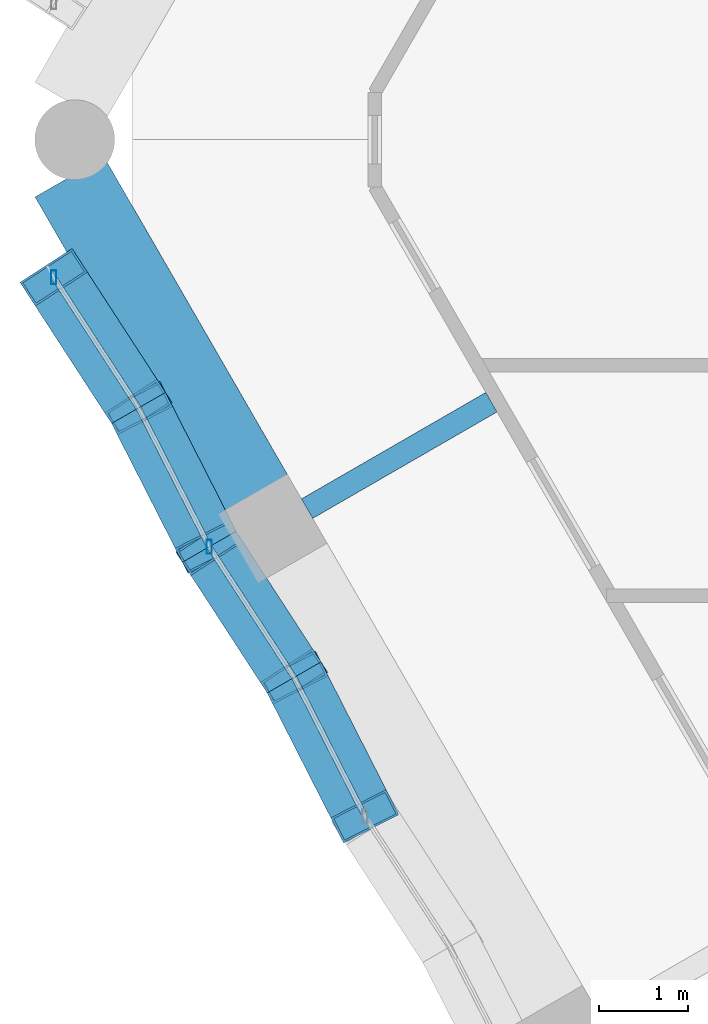
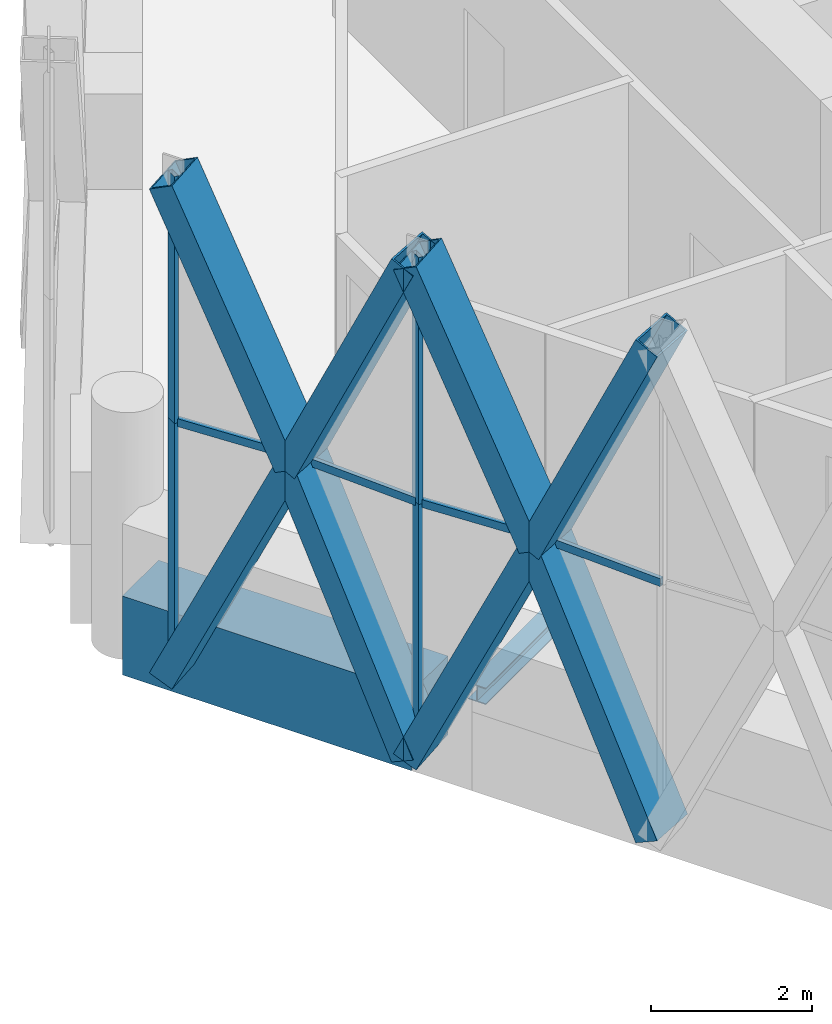
# One storey, part 4 of 27: 16 members, 2 beams, 2 elements without a shape of their own.
"""IFC4 building model written with IfcOpenShell, lengths in metres."""

import ifcopenshell
import ifcopenshell.guid

model = None  # the IFC model being written
_history = None  # IfcOwnerHistory: only IFC2X3 demands one
_inside = {}  # id of a spatial element -> (the spatial element, [elements in it])
_under = {}  # id of a project, library or spatial element -> (it, [spatial elements below it])
_declared = {}  # id of a project -> (the project, [libraries it declares])
_typed = {}  # id of a type object -> (the type object, [elements of that type])
_made_of = {}  # id of a material, layer set ... -> (it, [elements and type objects made of it])


def new_model(schema):
    """Start an empty IFC model of exactly this schema.

    Asked for "IFC4X3", IfcOpenShell would pick the latest addendum, in which some entities
    have other attributes; the version numbers below select the first issue.
    IFC2X3 requires an IfcOwnerHistory on every rooted entity: one is made here for all.
    """
    global model, _history
    if schema == "IFC4X3":
        model = ifcopenshell.file(schema_version=(4, 3, 0, 0))
    else:
        model = ifcopenshell.file(schema=schema)
    _inside.clear()
    _under.clear()
    _declared.clear()
    _typed.clear()
    _made_of.clear()
    _history = None
    if model.schema == "IFC2X3":
        org = make("IfcOrganization", Name="unknown")
        user = make(
            "IfcPersonAndOrganization",
            ThePerson=make("IfcPerson", FamilyName="unknown"),
            TheOrganization=org,
        )
        app = make(
            "IfcApplication",
            ApplicationDeveloper=org,
            Version="unknown",
            ApplicationFullName="unknown",
            ApplicationIdentifier="unknown",
        )
        _history = make(
            "IfcOwnerHistory",
            OwningUser=user,
            OwningApplication=app,
            ChangeAction="ADDED",
            CreationDate=0,
        )
    return model


def make(cls, **values):
    """One entity of the class cls with the attributes given. An attribute that is None is left unset."""
    return model.create_entity(
        cls, **{name: value for name, value in values.items() if value is not None}
    )


def rooted(cls, **values):
    """An entity with a GlobalId (a new one), such as an element, a storey or a relation."""
    return make(cls, GlobalId=ifcopenshell.guid.new(), OwnerHistory=_history, **values)


def si_unit(unit_type, name, prefix=None):
    """IfcSIUnit, for example si_unit("LENGTHUNIT", "METRE", prefix="MILLI")."""
    return make("IfcSIUnit", UnitType=unit_type, Prefix=prefix, Name=name)


def assignment(units):
    """IfcUnitAssignment: the units of a project."""
    return None if units is None else make("IfcUnitAssignment", Units=units)


def point(xyz):
    """IfcCartesianPoint."""
    return None if xyz is None else make("IfcCartesianPoint", Coordinates=xyz)


def direction(xyz):
    """IfcDirection."""
    return None if xyz is None else make("IfcDirection", DirectionRatios=xyz)


def frame(location, z_axis=None, x_axis=None):
    """IfcAxis2Placement3D, a coordinate frame: its origin and axes. An axis left out is left unset."""
    return make(
        "IfcAxis2Placement3D",
        Location=point(location),
        Axis=direction(z_axis),
        RefDirection=direction(x_axis),
    )


def frame_2d(location, x_axis=None):
    """IfcAxis2Placement2D, a coordinate frame in the plane: its origin and x axis."""
    return make(
        "IfcAxis2Placement2D", Location=point(location), RefDirection=direction(x_axis)
    )


def origin():
    """The frame at (0, 0, 0) with its axes left unset."""
    return frame((0.0, 0.0, 0.0))


def origin_2d():
    """The frame at (0, 0) in the plane with its x axis left unset."""
    return frame_2d((0.0, 0.0))


def place(relative_to, where):
    """IfcLocalPlacement: puts the frame where relative to a parent placement (None: the world)."""
    return make(
        "IfcLocalPlacement", PlacementRelTo=relative_to, RelativePlacement=where
    )


def context(
    kind, dimensions, precision=None, world=None, true_north=None, identifier=None
):
    """IfcGeometricRepresentationContext, for example the 3D "Model" context."""
    return make(
        "IfcGeometricRepresentationContext",
        ContextIdentifier=identifier,
        ContextType=kind,
        CoordinateSpaceDimension=dimensions,
        Precision=precision,
        WorldCoordinateSystem=world,
        TrueNorth=true_north,
    )


def subcontext(parent, identifier, kind, view, scale=None):
    """IfcGeometricRepresentationSubContext, for example "Body" below "Model"."""
    return make(
        "IfcGeometricRepresentationSubContext",
        ContextIdentifier=identifier,
        ContextType=kind,
        ParentContext=parent,
        TargetScale=scale,
        TargetView=view,
    )


def project(units=None, contexts=None):
    """IfcProject with its units and contexts."""
    return rooted(
        "IfcProject",
        Name="project",
        RepresentationContexts=contexts,
        UnitsInContext=assignment(units),
    )


def spatial(cls, under=None, at=None, **own):
    """A site, building, storey or space (cls), placed at a placement, below another one or the project."""
    s = rooted(cls, ObjectPlacement=at, **own)
    if under is not None:
        _under.setdefault(under.id(), (under, []))[1].append(s)
    return s


def profile(cls, at=None, kind="AREA", **sizes):
    """A parametric profile (cls). Its sizes go by their IFC names, for example OverallWidth=200.0."""
    return make(cls, ProfileType=kind, Position=at, **sizes)


def rectangle(**sizes):
    """IfcRectangleProfileDef."""
    return profile("IfcRectangleProfileDef", **sizes)


def hollow_rectangle(**sizes):
    """IfcRectangleHollowProfileDef."""
    return profile("IfcRectangleHollowProfileDef", **sizes)


def i_section(**sizes):
    """IfcIShapeProfileDef."""
    return profile("IfcIShapeProfileDef", **sizes)


def extrude(swept, where, along, depth):
    """IfcExtrudedAreaSolid: the profile swept, set in the frame where, extruded along a direction by depth."""
    return make(
        "IfcExtrudedAreaSolid",
        SweptArea=swept,
        Position=where,
        ExtrudedDirection=direction(along),
        Depth=depth,
    )


def shape(context_of_items, identifier, shape_type, items):
    """IfcShapeRepresentation: the items that make up one representation, for example the "Body"."""
    return make(
        "IfcShapeRepresentation",
        ContextOfItems=context_of_items,
        RepresentationIdentifier=identifier,
        RepresentationType=shape_type,
        Items=items,
    )


def material(Name=None, Category=None):
    """IfcMaterial."""
    return make("IfcMaterial", Name=Name, Category=Category)


def material_profile(
    of_material, cross_section, Name=None, Category=None, Priority=None
):
    """IfcMaterialProfile: a cross section and its material."""
    return make(
        "IfcMaterialProfile",
        Name=Name,
        Material=of_material,
        Profile=cross_section,
        Priority=Priority,
        Category=Category,
    )


def profile_set(profiles, Name=None, composite=None):
    """IfcMaterialProfileSet."""
    return make(
        "IfcMaterialProfileSet",
        Name=Name,
        MaterialProfiles=profiles,
        CompositeProfile=composite,
    )


def made_of(thing, what):
    """Note that an element or type object is made of a material, layer set ...; save() writes the relation."""
    if what is not None:
        _made_of.setdefault(what.id(), (what, []))[1].append(thing)
    return thing


def type_object(cls, material=None, **own):
    """A type object (cls), such as IfcWallType, which elements share."""
    return made_of(rooted(cls, **own), material)


def element(
    cls,
    number,
    at=None,
    inside=None,
    cuts=None,
    type_object=None,
    material=None,
    context=None,
    identifier="Body",
    shape_type=None,
    held_by="IfcProductDefinitionShape",
    body=None,
    shapes=None,
    **own,
):
    """One element of the class cls, such as IfcWall. Its Tag is "e" and its number.

    at: its placement. inside: the storey or other place that contains it. cuts: it is an
    opening in that element (IfcRelVoidsElement). A single representation is given by context,
    identifier, shape_type and body (its items); several are given by shapes. held_by: the class
    of the entity that holds the representations. save() writes the other relations.
    """
    e = rooted(cls, Tag="e%d" % number, ObjectPlacement=at, **own)
    if body is not None:
        shapes = [shape(context, identifier, shape_type, body)]
    if shapes is not None:
        e.Representation = make(held_by, Representations=shapes)
    if inside is not None:
        _inside.setdefault(inside.id(), (inside, []))[1].append(e)
    if cuts is not None:
        rooted(
            "IfcRelVoidsElement", RelatingBuildingElement=cuts, RelatedOpeningElement=e
        )
    if type_object is not None:
        _typed.setdefault(type_object.id(), (type_object, []))[1].append(e)
    return made_of(e, material)


def aggregate(whole, parts):
    """IfcRelAggregates: a whole, such as a stair, and the parts it consists of."""
    return rooted("IfcRelAggregates", RelatingObject=whole, RelatedObjects=parts)


def save(model, path):
    """Write the relations noted so far, then the file.

    IfcRelAggregates (storeys below a building ...), IfcRelContainedInSpatialStructure (elements
    in a storey), IfcRelDefinesByType, IfcRelAssociatesMaterial and IfcRelDeclares: one each for
    every whole, place, type object, material and project.
    """
    for whole, parts in _under.values():
        aggregate(whole, parts)
    for where, things in _inside.values():
        rooted(
            "IfcRelContainedInSpatialStructure",
            RelatedElements=things,
            RelatingStructure=where,
        )
    for kind, things in _typed.values():
        rooted("IfcRelDefinesByType", RelatedObjects=things, RelatingType=kind)
    for what, things in _made_of.values():
        rooted("IfcRelAssociatesMaterial", RelatedObjects=things, RelatingMaterial=what)
    for by, libraries in _declared.values():
        rooted("IfcRelDeclares", RelatingContext=by, RelatedDefinitions=libraries)
    model.write(path)


model = new_model("IFC4")

# Units and contexts
model_context = context("Model", 3, precision=1e-05, world=origin(), true_north=direction((0.0, 1.0)))
body_context = subcontext(model_context, "Body", "Model", "MODEL_VIEW")
ifc_project = project(units=[si_unit("LENGTHUNIT", "METRE"), si_unit("AREAUNIT", "SQUARE_METRE"), si_unit("VOLUMEUNIT", "CUBIC_METRE"), si_unit("PLANEANGLEUNIT", "RADIAN"), si_unit("MASSUNIT", "GRAM", prefix="KILO")], contexts=[model_context])

# Site, building, storey
site_placement = place(None, origin())
site = spatial("IfcSite", under=ifc_project, at=site_placement, CompositionType="ELEMENT")
building_placement = place(site_placement, origin())
building = spatial("IfcBuilding", under=site, at=building_placement, Name="Ostrander Bayou Hotel Tower", CompositionType="ELEMENT")
storey_placement = place(building_placement, frame((0.0, 0.0, 267.5)))
storey = spatial("IfcBuildingStorey", under=building, at=storey_placement, Name="L66", CompositionType="ELEMENT", Elevation=267.5)

# Curtain wall, members
ifc_material_1 = material(Name="Aluminium and clear glass", Category="aluminium")
curtain_wall_type = type_object("IfcCurtainWallType", Name="CW-LAT lattice glazing", PredefinedType="NOTDEFINED", material=ifc_material_1)
curtain_wall_1_placement = place(storey_placement, origin())
curtain_wall_1 = element("IfcCurtainWall", 1, at=curtain_wall_1_placement, inside=storey, type_object=curtain_wall_type, Name="CW-LAT L66 SW 1", PredefinedType="NOTDEFINED")
ifc_material_2 = material(Name="Aluminium", Category="aluminium")
ifc_material_profile_1 = material_profile(ifc_material_2, hollow_rectangle(XDim=0.06005859375, YDim=0.159912109375, WallThickness=0.00390625, at=origin_2d()))
ifc_profile_set_1 = profile_set([ifc_material_profile_1], Name="Aluminium")
member_type_1 = type_object("IfcMemberType", Name="CW-LA mullion 60 x 160 mm", PredefinedType="MULLION", material=ifc_profile_set_1)
member_1_placement = place(storey_placement, frame((-18.724609375, -2.7080078125, -0.60009765625), z_axis=(0.0, 0.0, 1.0), x_axis=(1.0, 0.0, 0.0)))
member_1 = element("IfcMember", 2, at=member_1_placement, type_object=member_type_1, Name="CW-LAT mullion 1", PredefinedType="MULLION", context=body_context, shape_type="SweptSolid", body=[
    extrude(hollow_rectangle(XDim=0.06005859375, YDim=0.159912109375, WallThickness=0.00390625, at=origin_2d()), origin(), (0.0, 0.0, 1.0), 3.75),
])
member_2_placement = place(storey_placement, frame((-18.724609375, -2.7080078125, 3.14990234375), z_axis=(0.0, 0.0, 1.0), x_axis=(1.0, 0.0, 0.0)))
member_2 = element("IfcMember", 3, at=member_2_placement, type_object=member_type_1, Name="CW-LAT mullion 2", PredefinedType="MULLION", context=body_context, shape_type="SweptSolid", body=[
    extrude(hollow_rectangle(XDim=0.06005859375, YDim=0.159912109375, WallThickness=0.00390625, at=origin_2d()), origin(), (0.0, 0.0, 1.0), 3.75),
])
member_3_placement = place(storey_placement, frame((-16.970458984375, -5.74658203125, -0.60009765625), z_axis=(0.0, 0.0, 1.0), x_axis=(1.0, 0.0, 0.0)))
member_3 = element("IfcMember", 4, at=member_3_placement, type_object=member_type_1, Name="CW-LAT mullion 4", PredefinedType="MULLION", context=body_context, shape_type="SweptSolid", body=[
    extrude(hollow_rectangle(XDim=0.06005859375, YDim=0.159912109375, WallThickness=0.00390625, at=origin_2d()), origin(), (0.0, 0.0, 1.0), 3.75),
])
member_4_placement = place(storey_placement, frame((-16.970458984375, -5.74658203125, 3.14990234375), z_axis=(0.0, 0.0, 1.0), x_axis=(1.0, 0.0, 0.0)))
member_4 = element("IfcMember", 5, at=member_4_placement, type_object=member_type_1, Name="CW-LAT mullion 5", PredefinedType="MULLION", context=body_context, shape_type="SweptSolid", body=[
    extrude(hollow_rectangle(XDim=0.06005859375, YDim=0.159912109375, WallThickness=0.00390625, at=origin_2d()), origin(), (0.0, 0.0, 1.0), 3.75),
])
aggregate(curtain_wall_1, [member_1, member_2, member_3, member_4])

curtain_wall_2_placement = place(storey_placement, origin())
curtain_wall_2 = element("IfcCurtainWall", 6, at=curtain_wall_2_placement, inside=storey, type_object=curtain_wall_type, Name="CW-LAT L66 SW 2", PredefinedType="NOTDEFINED")
ifc_material_3 = material(Name="Aluminium", Category="aluminium")
ifc_material_profile_2 = material_profile(ifc_material_3, hollow_rectangle(XDim=0.06005859375, YDim=0.1201171875, WallThickness=0.00390625, at=origin_2d()))
ifc_profile_set_2 = profile_set([ifc_material_profile_2], Name="Aluminium")
member_type_2 = type_object("IfcMemberType", Name="CW-LA transom 60 x 120 mm", PredefinedType="USERDEFINED", material=ifc_profile_set_2)
member_5_placement = place(storey_placement, frame((-18.724609375, -2.7080078125, 3.14990234375), z_axis=(0.544621946318, -0.838681665228, 0.0), x_axis=(0.838681665228, 0.544621946318, 0.0)))
member_5 = element("IfcMember", 7, at=member_5_placement, type_object=member_type_2, Name="CW-LAT transom 3", ObjectType="TRANSOM", PredefinedType="USERDEFINED", context=body_context, shape_type="SweptSolid", body=[
    extrude(hollow_rectangle(XDim=0.06005859375, YDim=0.1201171875, WallThickness=0.00390625, at=origin_2d()), origin(), (0.0, 0.0, 1.0), 1.7568359375),
])
member_6_placement = place(storey_placement, frame((-16.970458984375, -5.74658203125, 3.14990234375), z_axis=(-0.453927863456, 0.891038436196, 0.0), x_axis=(-0.891038436196, -0.453927863456, 0.0)))
member_6 = element("IfcMember", 8, at=member_6_placement, type_object=member_type_2, Name="CW-LAT transom 6", ObjectType="TRANSOM", PredefinedType="USERDEFINED", context=body_context, shape_type="SweptSolid", body=[
    extrude(hollow_rectangle(XDim=0.06005859375, YDim=0.1201171875, WallThickness=0.00390625, at=origin_2d()), origin(), (0.0, 0.0, 1.0), 1.756591796875),
])
member_7_placement = place(storey_placement, frame((-16.970458984375, -5.74658203125, 3.14990234375), z_axis=(0.544685428538, -0.838640437815, 0.0), x_axis=(0.838640437815, 0.544685428538, 0.0)))
member_7 = element("IfcMember", 9, at=member_7_placement, type_object=member_type_2, Name="CW-LAT transom 7", ObjectType="TRANSOM", PredefinedType="USERDEFINED", context=body_context, shape_type="SweptSolid", body=[
    extrude(hollow_rectangle(XDim=0.06005859375, YDim=0.1201171875, WallThickness=0.00390625, at=origin_2d()), origin(), (0.0, 0.0, 1.0), 1.756591796875),
])
member_8_placement = place(storey_placement, frame((-15.216064453125, -8.784912109375, 3.14990234375), z_axis=(-0.454038200777, 0.890982217687, 0.0), x_axis=(-0.890982217687, -0.454038200777, 0.0)))
member_8 = element("IfcMember", 10, at=member_8_placement, type_object=member_type_2, Name="CW-LAT transom 10", ObjectType="TRANSOM", PredefinedType="USERDEFINED", context=body_context, shape_type="SweptSolid", body=[
    extrude(hollow_rectangle(XDim=0.06005859375, YDim=0.1201171875, WallThickness=0.00390625, at=origin_2d()), origin(), (0.0, 0.0, 1.0), 1.756591796875),
])
aggregate(curtain_wall_2, [member_5, member_6, member_7, member_8])

# Beam
ifc_material_4 = material(Name="Steel ASTM A992", Category="steel")
ifc_material_profile_3 = material_profile(ifc_material_4, i_section(OverallWidth=0.25390625, OverallDepth=0.25341796875, WebThickness=0.008544921875, FlangeThickness=0.01416015625, at=origin_2d()))
ifc_profile_set_3 = profile_set([ifc_material_profile_3], Name="Steel ASTM A992")
beam_type_1 = type_object("IfcBeamType", Name="LB2 loggia bracket W10x49", PredefinedType="BEAM", material=ifc_profile_set_3)
beam_1_placement = place(storey_placement, frame((-15.867431640625, -5.316650390625, -0.4267578125), z_axis=(0.866024647952, 0.500001309137, 0.0), x_axis=(-0.500001309137, 0.866024647952, 0.0)))
element("IfcBeam", 11, at=beam_1_placement, inside=storey, type_object=beam_type_1, Name="LB2 L66 SW1", PredefinedType="BEAM", context=body_context, shape_type="SweptSolid", body=[
    extrude(i_section(OverallWidth=0.25390625, OverallDepth=0.25341796875, WebThickness=0.008544921875, FlangeThickness=0.01416015625, at=origin_2d()), origin(), (0.0, 0.0, 1.0), 2.39990234375),
])

# Members
ifc_material_5 = material(Name="Steel ASTM A572 Gr 50", Category="steel")
ifc_material_profile_4 = material_profile(ifc_material_5, hollow_rectangle(XDim=0.699951171875, YDim=0.35009765625, WallThickness=0.02490234375, at=origin_2d()))
ifc_profile_set_4 = profile_set([ifc_material_profile_4], Name="Steel ASTM A572 Gr 50")
member_type_3 = type_object("IfcMemberType", Name="LT1 lattice member box 700 x 350 x 25 mm", PredefinedType="BRACE", material=ifc_profile_set_4)
for number, where, z_axis, x_axis, name in (
    (12, (-17.767822265625, -4.181396484375, 3.14990234375), (-0.231045890521, 0.35579534302, -0.905553681655), (-0.838681665228, -0.544621946318, 0.0), "LT1 L66 SW 1"),
    (13, (-17.767822265625, -4.181396484375, 3.14990234375), (-0.231045890521, 0.35579534302, 0.905553681655), (-0.838681665228, -0.544621946318, 0.0), "LT1 L66 SW 2"),
    (14, (-17.767822265625, -4.181396484375, 3.14990234375), (0.192552120059, -0.37797049654, -0.905572738551), (0.891038436196, 0.453927863456, 0.0), "LT1 L66 SW 3"),
    (15, (-17.767822265625, -4.181396484375, 3.14990234375), (0.192552120059, -0.37797049654, 0.905572738551), (0.891038436196, 0.453927863456, 0.0), "LT1 L66 SW 4"),
    (16, (-16.013671875, -7.2197265625, 3.14990234375), (-0.231050736697, 0.355743849255, -0.905572675598), (-0.838640437815, -0.544685428538, 0.0), "LT1 L66 SW 5"),
    (17, (-16.013671875, -7.2197265625, 3.14990234375), (-0.231050736697, 0.355743849255, 0.905572675598), (-0.838640437815, -0.544685428538, 0.0), "LT1 L66 SW 6"),
    (18, (-16.013671875, -7.2197265625, 3.14990234375), (0.192608889759, -0.377966205155, -0.9055624569), (0.890982217687, 0.454038200777, 0.0), "LT1 L66 SW 7"),
    (19, (-16.013671875, -7.2197265625, 3.14990234375), (0.192608889759, -0.377966205155, 0.9055624569), (0.890982217687, 0.454038200777, 0.0), "LT1 L66 SW 8"),
):
    element("IfcMember", number, at=place(storey_placement, frame(where, z_axis=z_axis, x_axis=x_axis)), inside=storey, type_object=member_type_3, Name=name, PredefinedType="BRACE", context=body_context, shape_type="SweptSolid", body=[
        extrude(hollow_rectangle(XDim=0.699951171875, YDim=0.35009765625, WallThickness=0.02490234375, at=origin_2d()), origin(), (0.0, 0.0, 1.0), 4.14111328125),
    ])

# Beam
ifc_material_6 = material(Name="Concrete f'c 60 MPa", Category="concrete")
ifc_material_profile_5 = material_profile(ifc_material_6, rectangle(XDim=0.89990234375, YDim=1.199951171875, at=origin_2d()))
ifc_profile_set_5 = profile_set([ifc_material_profile_5], Name="Concrete f'c 60 MPa")
beam_type_2 = type_object("IfcBeamType", Name="SP4 spandrel beam 900 x 1200 mm f'c 60 MPa", PredefinedType="SPANDREL", material=ifc_profile_set_5)
beam_2_placement = place(storey_placement, frame((-18.54541015625, -1.578369140625, -0.60009765625), z_axis=(0.499980071345, -0.866036909293, 0.0), x_axis=(0.866036909293, 0.499980071345, 0.0)))
element("IfcBeam", 20, at=beam_2_placement, inside=storey, type_object=beam_type_2, Name="SP4 L66 SW-1", PredefinedType="SPANDREL", context=body_context, shape_type="SweptSolid", body=[
    extrude(rectangle(XDim=0.89990234375, YDim=1.199951171875, at=origin_2d()), origin(), (0.0, 0.0, 1.0), 4.156494140625),
])

save(model, "model.ifc")
